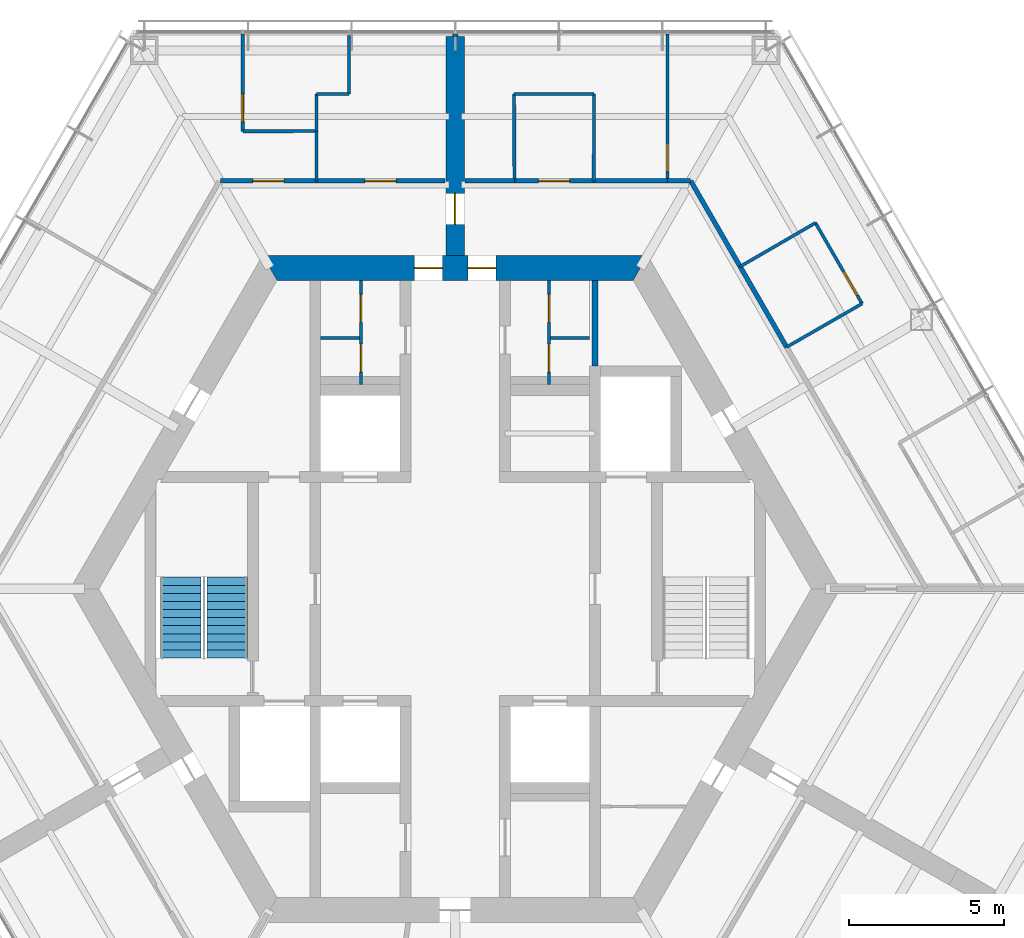
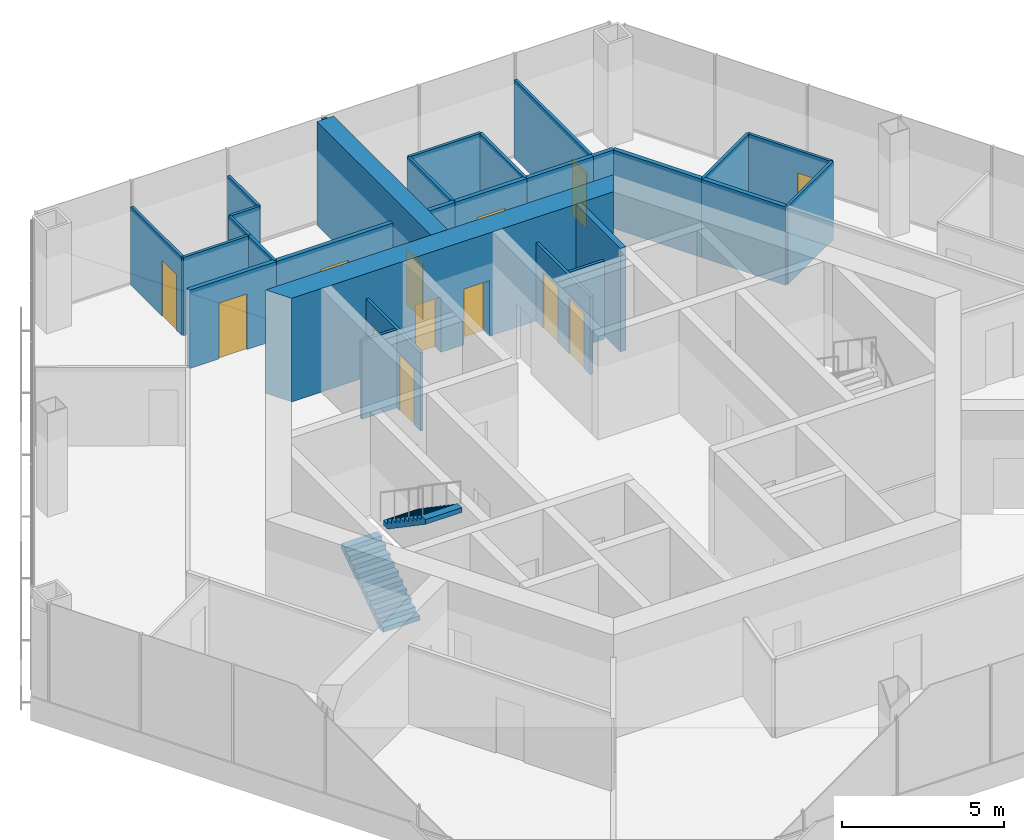
# One storey, part 12 of 15: 29 walls, 13 doors, 2 stair flights, 13 openings, 1 element without a shape of its own.
"""IFC4 building model written with IfcOpenShell, lengths in metres."""

import ifcopenshell
import ifcopenshell.guid

model = None  # the IFC model being written
_history = None  # IfcOwnerHistory: only IFC2X3 demands one
_inside = {}  # id of a spatial element -> (the spatial element, [elements in it])
_under = {}  # id of a project, library or spatial element -> (it, [spatial elements below it])
_declared = {}  # id of a project -> (the project, [libraries it declares])
_typed = {}  # id of a type object -> (the type object, [elements of that type])
_made_of = {}  # id of a material, layer set ... -> (it, [elements and type objects made of it])


def new_model(schema):
    """Start an empty IFC model of exactly this schema.

    Asked for "IFC4X3", IfcOpenShell would pick the latest addendum, in which some entities
    have other attributes; the version numbers below select the first issue.
    IFC2X3 requires an IfcOwnerHistory on every rooted entity: one is made here for all.
    """
    global model, _history
    if schema == "IFC4X3":
        model = ifcopenshell.file(schema_version=(4, 3, 0, 0))
    else:
        model = ifcopenshell.file(schema=schema)
    _inside.clear()
    _under.clear()
    _declared.clear()
    _typed.clear()
    _made_of.clear()
    _history = None
    if model.schema == "IFC2X3":
        org = make("IfcOrganization", Name="unknown")
        user = make(
            "IfcPersonAndOrganization",
            ThePerson=make("IfcPerson", FamilyName="unknown"),
            TheOrganization=org,
        )
        app = make(
            "IfcApplication",
            ApplicationDeveloper=org,
            Version="unknown",
            ApplicationFullName="unknown",
            ApplicationIdentifier="unknown",
        )
        _history = make(
            "IfcOwnerHistory",
            OwningUser=user,
            OwningApplication=app,
            ChangeAction="ADDED",
            CreationDate=0,
        )
    return model


def make(cls, **values):
    """One entity of the class cls with the attributes given. An attribute that is None is left unset."""
    return model.create_entity(
        cls, **{name: value for name, value in values.items() if value is not None}
    )


def rooted(cls, **values):
    """An entity with a GlobalId (a new one), such as an element, a storey or a relation."""
    return make(cls, GlobalId=ifcopenshell.guid.new(), OwnerHistory=_history, **values)


def si_unit(unit_type, name, prefix=None):
    """IfcSIUnit, for example si_unit("LENGTHUNIT", "METRE", prefix="MILLI")."""
    return make("IfcSIUnit", UnitType=unit_type, Prefix=prefix, Name=name)


def assignment(units):
    """IfcUnitAssignment: the units of a project."""
    return None if units is None else make("IfcUnitAssignment", Units=units)


def point(xyz):
    """IfcCartesianPoint."""
    return None if xyz is None else make("IfcCartesianPoint", Coordinates=xyz)


def direction(xyz):
    """IfcDirection."""
    return None if xyz is None else make("IfcDirection", DirectionRatios=xyz)


def frame(location, z_axis=None, x_axis=None):
    """IfcAxis2Placement3D, a coordinate frame: its origin and axes. An axis left out is left unset."""
    return make(
        "IfcAxis2Placement3D",
        Location=point(location),
        Axis=direction(z_axis),
        RefDirection=direction(x_axis),
    )


def frame_2d(location, x_axis=None):
    """IfcAxis2Placement2D, a coordinate frame in the plane: its origin and x axis."""
    return make(
        "IfcAxis2Placement2D", Location=point(location), RefDirection=direction(x_axis)
    )


def origin():
    """The frame at (0, 0, 0) with its axes left unset."""
    return frame((0.0, 0.0, 0.0))


def place(relative_to, where):
    """IfcLocalPlacement: puts the frame where relative to a parent placement (None: the world)."""
    return make(
        "IfcLocalPlacement", PlacementRelTo=relative_to, RelativePlacement=where
    )


def context(
    kind, dimensions, precision=None, world=None, true_north=None, identifier=None
):
    """IfcGeometricRepresentationContext, for example the 3D "Model" context."""
    return make(
        "IfcGeometricRepresentationContext",
        ContextIdentifier=identifier,
        ContextType=kind,
        CoordinateSpaceDimension=dimensions,
        Precision=precision,
        WorldCoordinateSystem=world,
        TrueNorth=true_north,
    )


def subcontext(parent, identifier, kind, view, scale=None):
    """IfcGeometricRepresentationSubContext, for example "Body" below "Model"."""
    return make(
        "IfcGeometricRepresentationSubContext",
        ContextIdentifier=identifier,
        ContextType=kind,
        ParentContext=parent,
        TargetScale=scale,
        TargetView=view,
    )


def project(units=None, contexts=None):
    """IfcProject with its units and contexts."""
    return rooted(
        "IfcProject",
        Name="project",
        RepresentationContexts=contexts,
        UnitsInContext=assignment(units),
    )


def spatial(cls, under=None, at=None, **own):
    """A site, building, storey or space (cls), placed at a placement, below another one or the project."""
    s = rooted(cls, ObjectPlacement=at, **own)
    if under is not None:
        _under.setdefault(under.id(), (under, []))[1].append(s)
    return s


def polyline(points):
    """IfcPolyline through the points."""
    return make("IfcPolyline", Points=[point(p) for p in points])


def profile(cls, at=None, kind="AREA", **sizes):
    """A parametric profile (cls). Its sizes go by their IFC names, for example OverallWidth=200.0."""
    return make(cls, ProfileType=kind, Position=at, **sizes)


def rectangle(**sizes):
    """IfcRectangleProfileDef."""
    return profile("IfcRectangleProfileDef", **sizes)


def outline(outer, holes=None, kind="AREA"):
    """IfcArbitraryClosedProfileDef: a profile drawn as a closed curve; with holes, ...WithVoids."""
    if holes is None:
        return make("IfcArbitraryClosedProfileDef", ProfileType=kind, OuterCurve=outer)
    return make(
        "IfcArbitraryProfileDefWithVoids",
        ProfileType=kind,
        OuterCurve=outer,
        InnerCurves=holes,
    )


def extrude(swept, where, along, depth):
    """IfcExtrudedAreaSolid: the profile swept, set in the frame where, extruded along a direction by depth."""
    return make(
        "IfcExtrudedAreaSolid",
        SweptArea=swept,
        Position=where,
        ExtrudedDirection=direction(along),
        Depth=depth,
    )


def shape(context_of_items, identifier, shape_type, items):
    """IfcShapeRepresentation: the items that make up one representation, for example the "Body"."""
    return make(
        "IfcShapeRepresentation",
        ContextOfItems=context_of_items,
        RepresentationIdentifier=identifier,
        RepresentationType=shape_type,
        Items=items,
    )


def material(Name=None, Category=None):
    """IfcMaterial."""
    return make("IfcMaterial", Name=Name, Category=Category)


def layer(
    of_material, thickness, ventilated=None, Name=None, Category=None, Priority=None
):
    """IfcMaterialLayer: one layer of a wall or slab, of a material (None: an air gap)."""
    return make(
        "IfcMaterialLayer",
        Material=of_material,
        LayerThickness=thickness,
        IsVentilated=ventilated,
        Name=Name,
        Category=Category,
        Priority=Priority,
    )


def layer_set(layers, Name=None):
    """IfcMaterialLayerSet."""
    return make("IfcMaterialLayerSet", MaterialLayers=layers, LayerSetName=Name)


def made_of(thing, what):
    """Note that an element or type object is made of a material, layer set ...; save() writes the relation."""
    if what is not None:
        _made_of.setdefault(what.id(), (what, []))[1].append(thing)
    return thing


def type_object(cls, material=None, **own):
    """A type object (cls), such as IfcWallType, which elements share."""
    return made_of(rooted(cls, **own), material)


def element(
    cls,
    number,
    at=None,
    inside=None,
    cuts=None,
    type_object=None,
    material=None,
    context=None,
    identifier="Body",
    shape_type=None,
    held_by="IfcProductDefinitionShape",
    body=None,
    shapes=None,
    **own,
):
    """One element of the class cls, such as IfcWall. Its Tag is "e" and its number.

    at: its placement. inside: the storey or other place that contains it. cuts: it is an
    opening in that element (IfcRelVoidsElement). A single representation is given by context,
    identifier, shape_type and body (its items); several are given by shapes. held_by: the class
    of the entity that holds the representations. save() writes the other relations.
    """
    e = rooted(cls, Tag="e%d" % number, ObjectPlacement=at, **own)
    if body is not None:
        shapes = [shape(context, identifier, shape_type, body)]
    if shapes is not None:
        e.Representation = make(held_by, Representations=shapes)
    if inside is not None:
        _inside.setdefault(inside.id(), (inside, []))[1].append(e)
    if cuts is not None:
        rooted(
            "IfcRelVoidsElement", RelatingBuildingElement=cuts, RelatedOpeningElement=e
        )
    if type_object is not None:
        _typed.setdefault(type_object.id(), (type_object, []))[1].append(e)
    return made_of(e, material)


def fill(opening, filler):
    """IfcRelFillsElement: the door or window that sits in an opening."""
    return rooted(
        "IfcRelFillsElement",
        RelatingOpeningElement=opening,
        RelatedBuildingElement=filler,
    )


def aggregate(whole, parts):
    """IfcRelAggregates: a whole, such as a stair, and the parts it consists of."""
    return rooted("IfcRelAggregates", RelatingObject=whole, RelatedObjects=parts)


def save(model, path):
    """Write the relations noted so far, then the file.

    IfcRelAggregates (storeys below a building ...), IfcRelContainedInSpatialStructure (elements
    in a storey), IfcRelDefinesByType, IfcRelAssociatesMaterial and IfcRelDeclares: one each for
    every whole, place, type object, material and project.
    """
    for whole, parts in _under.values():
        aggregate(whole, parts)
    for where, things in _inside.values():
        rooted(
            "IfcRelContainedInSpatialStructure",
            RelatedElements=things,
            RelatingStructure=where,
        )
    for kind, things in _typed.values():
        rooted("IfcRelDefinesByType", RelatedObjects=things, RelatingType=kind)
    for what, things in _made_of.values():
        rooted("IfcRelAssociatesMaterial", RelatedObjects=things, RelatingMaterial=what)
    for by, libraries in _declared.values():
        rooted("IfcRelDeclares", RelatingContext=by, RelatedDefinitions=libraries)
    model.write(path)


model = new_model("IFC4")

# Units and contexts
model_context = context("Model", 3, precision=1e-05, world=origin(), true_north=direction((0.0, 1.0)))
body_context = subcontext(model_context, "Body", "Model", "MODEL_VIEW")
ifc_project = project(units=[si_unit("LENGTHUNIT", "METRE"), si_unit("AREAUNIT", "SQUARE_METRE"), si_unit("VOLUMEUNIT", "CUBIC_METRE"), si_unit("PLANEANGLEUNIT", "RADIAN"), si_unit("MASSUNIT", "GRAM", prefix="KILO")], contexts=[model_context])

# Site, building, storey
site_placement = place(None, origin())
site = spatial("IfcSite", under=ifc_project, at=site_placement, CompositionType="ELEMENT")
building_placement = place(site_placement, origin())
building = spatial("IfcBuilding", under=site, at=building_placement, Name="Kasaneha Research Tower", CompositionType="ELEMENT")
storey_placement = place(building_placement, frame((0.0, 0.0, 212.800048828125)))
storey = spatial("IfcBuildingStorey", under=building, at=storey_placement, Name="L53", CompositionType="ELEMENT", Elevation=212.800048828125)

# Wall, openings, doors
ifc_material_1 = material(Name="Concrete Fc60", Category="concrete")
ifc_layer_1 = layer(ifc_material_1, 0.800048828125)
ifc_layer_set_1 = layer_set([ifc_layer_1], Name="Core wall 800 Fc60")
wall_type_1 = type_object("IfcWallType", Name="Core wall 800 Fc60", PredefinedType="SHEAR", material=ifc_layer_set_1)
wall_1_placement = place(storey_placement, frame((5.961181640625, 10.324951171875, 0.0), z_axis=(0.0, 0.0, 1.0), x_axis=(-1.0, 0.0, 0.0)))
wall_1 = element("IfcWall", 1, at=wall_1_placement, inside=storey, type_object=wall_type_1, Name="Core wall 090 L53", PredefinedType="SHEAR", context=body_context, shape_type="SweptSolid", body=[
    extrude(outline(polyline([(-0.23095703125, -0.39990234375), (4.648681640625, -0.39990234375), (5.548583984375, -0.39990234375), (6.37353515625, -0.39990234375), (7.2734375, -0.39990234375), (12.1533203125, -0.39990234375), (11.69140625, 0.39990234375), (7.2734375, 0.39990234375), (6.37353515625, 0.39990234375), (5.548583984375, 0.39990234375), (4.648681640625, 0.39990234375), (0.23095703125, 0.39990234375), (-0.23095703125, -0.39990234375)])), origin(), (0.0, 0.0, 1.0), 3.89990234375),
])
opening_1_placement = place(wall_1_placement, frame((6.37353515625, 0.0, 0.0)))
opening_1 = element("IfcOpeningElement", 2, at=opening_1_placement, cuts=wall_1, Name="Opening L53-D01", PredefinedType="OPENING", context=body_context, shape_type="SweptSolid", body=[
    extrude(rectangle(XDim=0.89990234375, YDim=2.10009765625, at=frame_2d((0.449951171875, 1.050048828125))), frame((0.0, 0.41015625, 0.0), z_axis=(0.0, -1.0, 0.0), x_axis=(1.0, 0.0, 0.0)), (0.0, 0.0, 1.0), 0.820068359375),
])
opening_2_placement = place(wall_1_placement, frame((4.648681640625, 0.0, 0.0)))
opening_2 = element("IfcOpeningElement", 3, at=opening_2_placement, cuts=wall_1, Name="Opening L53-D02", PredefinedType="OPENING", context=body_context, shape_type="SweptSolid", body=[
    extrude(rectangle(XDim=0.89990234375, YDim=2.10009765625, at=frame_2d((0.449951171875, 1.050048828125))), frame((0.0, 0.41015625, 0.0), z_axis=(0.0, -1.0, 0.0), x_axis=(1.0, 0.0, 0.0)), (0.0, 0.0, 1.0), 0.820068359375),
])
ifc_material_2 = material(Name="Steel", Category="steel")
door_type_1 = type_object("IfcDoorType", Name="Toilet door FD20 900x2100", OperationType="NOTDEFINED", PredefinedType="DOOR", material=ifc_material_2)
door_1_placement = place(opening_1_placement, origin())
door_1 = element("IfcDoor", 4, at=door_1_placement, inside=storey, type_object=door_type_1, Name="Core door north 1 L53-D01", OperationType="SINGLE_SWING_RIGHT", OverallHeight=2.10009765625, OverallWidth=0.89990234375, PredefinedType="DOOR", context=body_context, shape_type="SweptSolid", body=[
    extrude(rectangle(XDim=0.89990234375, YDim=2.10009765625, at=frame_2d((0.449951171875, 1.050048828125))), frame((0.0, 0.02490234375, 0.0), z_axis=(0.0, -1.0, 0.0), x_axis=(1.0, 0.0, 0.0)), (0.0, 0.0, 1.0), 0.050048828125),
])
fill(opening_1, door_1)
door_2_placement = place(opening_2_placement, origin())
door_2 = element("IfcDoor", 5, at=door_2_placement, inside=storey, type_object=door_type_1, Name="Core door north 2 L53-D02", OperationType="SINGLE_SWING_LEFT", OverallHeight=2.10009765625, OverallWidth=0.89990234375, PredefinedType="DOOR", context=body_context, shape_type="SweptSolid", body=[
    extrude(rectangle(XDim=0.89990234375, YDim=2.10009765625, at=frame_2d((0.449951171875, 1.050048828125))), frame((0.0, 0.02490234375, 0.0), z_axis=(0.0, -1.0, 0.0), x_axis=(1.0, 0.0, 0.0)), (0.0, 0.0, 1.0), 0.050048828125),
])
fill(opening_2, door_2)

ifc_material_3 = material(Name="Gypsum board on steel studs, one layer each side", Category="steel")
ifc_layer_2 = layer(ifc_material_3, 0.10009765625)
ifc_layer_set_2 = layer_set([ifc_layer_2], Name="Office partition 100")
wall_type_2 = type_object("IfcWallType", Name="Office partition 100", PredefinedType="PARTITIONING", material=ifc_layer_set_2)
wall_2_placement = place(storey_placement, frame((-3.02490234375, 6.574951171875, 0.0), z_axis=(0.0, 0.0, 1.0), x_axis=(0.0, 1.0, 0.0)))
wall_2 = element("IfcWall", 6, at=wall_2_placement, inside=storey, type_object=wall_type_2, Name="Office partition TBM1 L53", PredefinedType="PARTITIONING", context=body_context, shape_type="SweptSolid", body=[
    extrude(rectangle(XDim=3.35009765625, YDim=0.10009765625, at=frame_2d((1.675048828125, 0.0))), origin(), (0.0, 0.0, 1.0), 2.949951171875),
])
opening_3_placement = place(wall_2_placement, frame((2.0, 0.0, 0.0)))
opening_3 = element("IfcOpeningElement", 7, at=opening_3_placement, cuts=wall_2, Name="Opening L53-D20", PredefinedType="OPENING", context=body_context, shape_type="SweptSolid", body=[
    extrude(rectangle(XDim=0.89990234375, YDim=2.10009765625, at=frame_2d((0.449951171875, 1.050048828125))), frame((0.0, 0.06005859375, 0.0), z_axis=(0.0, -1.0, 0.0), x_axis=(1.0, 0.0, 0.0)), (0.0, 0.0, 1.0), 0.1201171875),
])
opening_4_placement = place(wall_2_placement, frame((0.39990234375, 0.0, 0.0)))
opening_4 = element("IfcOpeningElement", 8, at=opening_4_placement, cuts=wall_2, Name="Opening L53-D21", PredefinedType="OPENING", context=body_context, shape_type="SweptSolid", body=[
    extrude(rectangle(XDim=0.89990234375, YDim=2.10009765625, at=frame_2d((0.449951171875, 1.050048828125))), frame((0.0, 0.06005859375, 0.0), z_axis=(0.0, -1.0, 0.0), x_axis=(1.0, 0.0, 0.0)), (0.0, 0.0, 1.0), 0.1201171875),
])
ifc_material_4 = material(Name="Steel", Category="steel")
door_type_2 = type_object("IfcDoorType", Name="Toilet lobby door FD30 900x2100", OperationType="NOTDEFINED", PredefinedType="DOOR", material=ifc_material_4)
door_3_placement = place(opening_3_placement, origin())
door_3 = element("IfcDoor", 9, at=door_3_placement, inside=storey, type_object=door_type_2, Name="Men's WC door L53-D20", OperationType="SINGLE_SWING_RIGHT", OverallHeight=2.10009765625, OverallWidth=0.89990234375, PredefinedType="DOOR", context=body_context, shape_type="SweptSolid", body=[
    extrude(rectangle(XDim=0.89990234375, YDim=2.10009765625, at=frame_2d((0.449951171875, 1.050048828125))), frame((0.0, 0.02490234375, 0.0), z_axis=(0.0, -1.0, 0.0), x_axis=(1.0, 0.0, 0.0)), (0.0, 0.0, 1.0), 0.050048828125),
])
fill(opening_3, door_3)
door_4_placement = place(opening_4_placement, origin())
door_4 = element("IfcDoor", 10, at=door_4_placement, inside=storey, type_object=door_type_2, Name="Cleaner's store door L53-D21", OperationType="SINGLE_SWING_RIGHT", OverallHeight=2.10009765625, OverallWidth=0.89990234375, PredefinedType="DOOR", context=body_context, shape_type="SweptSolid", body=[
    extrude(rectangle(XDim=0.89990234375, YDim=2.10009765625, at=frame_2d((0.449951171875, 1.050048828125))), frame((0.0, 0.02490234375, 0.0), z_axis=(0.0, -1.0, 0.0), x_axis=(1.0, 0.0, 0.0)), (0.0, 0.0, 1.0), 0.050048828125),
])
fill(opening_4, door_4)

# Wall
wall_3_placement = place(storey_placement, frame((-3.074951171875, 8.074951171875, 0.0), z_axis=(0.0, 0.0, 1.0), x_axis=(-1.0, 0.0, 0.0)))
element("IfcWall", 11, at=wall_3_placement, inside=storey, type_object=wall_type_2, Name="Office partition TBM2 L53", PredefinedType="PARTITIONING", context=body_context, shape_type="SweptSolid", body=[
    extrude(rectangle(XDim=1.25, YDim=0.10009765625, at=frame_2d((0.625, 0.0))), origin(), (0.0, 0.0, 1.0), 2.949951171875),
])

# Wall, openings, doors
wall_4_placement = place(storey_placement, frame((3.02490234375, 6.574951171875, 0.0), z_axis=(0.0, 0.0, 1.0), x_axis=(0.0, 1.0, 0.0)))
wall_4 = element("IfcWall", 12, at=wall_4_placement, inside=storey, type_object=wall_type_2, Name="Office partition TBF1 L53", PredefinedType="PARTITIONING", context=body_context, shape_type="SweptSolid", body=[
    extrude(rectangle(XDim=3.35009765625, YDim=0.10009765625, at=frame_2d((1.675048828125, 0.0))), origin(), (0.0, 0.0, 1.0), 2.949951171875),
])
opening_5_placement = place(wall_4_placement, frame((2.0, 0.0, 0.0)))
opening_5 = element("IfcOpeningElement", 13, at=opening_5_placement, cuts=wall_4, Name="Opening L53-D22", PredefinedType="OPENING", context=body_context, shape_type="SweptSolid", body=[
    extrude(rectangle(XDim=0.89990234375, YDim=2.10009765625, at=frame_2d((0.449951171875, 1.050048828125))), frame((0.0, 0.06005859375, 0.0), z_axis=(0.0, -1.0, 0.0), x_axis=(1.0, 0.0, 0.0)), (0.0, 0.0, 1.0), 0.1201171875),
])
opening_6_placement = place(wall_4_placement, frame((0.39990234375, 0.0, 0.0)))
opening_6 = element("IfcOpeningElement", 14, at=opening_6_placement, cuts=wall_4, Name="Opening L53-D23", PredefinedType="OPENING", context=body_context, shape_type="SweptSolid", body=[
    extrude(rectangle(XDim=0.89990234375, YDim=2.10009765625, at=frame_2d((0.449951171875, 1.050048828125))), frame((0.0, 0.06005859375, 0.0), z_axis=(0.0, -1.0, 0.0), x_axis=(1.0, 0.0, 0.0)), (0.0, 0.0, 1.0), 0.1201171875),
])
door_5_placement = place(opening_5_placement, origin())
door_5 = element("IfcDoor", 15, at=door_5_placement, inside=storey, type_object=door_type_2, Name="Women's WC door L53-D22", OperationType="SINGLE_SWING_RIGHT", OverallHeight=2.10009765625, OverallWidth=0.89990234375, PredefinedType="DOOR", context=body_context, shape_type="SweptSolid", body=[
    extrude(rectangle(XDim=0.89990234375, YDim=2.10009765625, at=frame_2d((0.449951171875, 1.050048828125))), frame((0.0, 0.02490234375, 0.0), z_axis=(0.0, -1.0, 0.0), x_axis=(1.0, 0.0, 0.0)), (0.0, 0.0, 1.0), 0.050048828125),
])
fill(opening_5, door_5)
door_6_placement = place(opening_6_placement, origin())
door_6 = element("IfcDoor", 16, at=door_6_placement, inside=storey, type_object=door_type_2, Name="Parents' room door L53-D23", OperationType="SINGLE_SWING_RIGHT", OverallHeight=2.10009765625, OverallWidth=0.89990234375, PredefinedType="DOOR", context=body_context, shape_type="SweptSolid", body=[
    extrude(rectangle(XDim=0.89990234375, YDim=2.10009765625, at=frame_2d((0.449951171875, 1.050048828125))), frame((0.0, 0.02490234375, 0.0), z_axis=(0.0, -1.0, 0.0), x_axis=(1.0, 0.0, 0.0)), (0.0, 0.0, 1.0), 0.050048828125),
])
fill(opening_6, door_6)

# Walls
wall_5_placement = place(storey_placement, frame((3.074951171875, 8.074951171875, 0.0), z_axis=(0.0, 0.0, 1.0), x_axis=(1.0, 0.0, 0.0)))
element("IfcWall", 17, at=wall_5_placement, inside=storey, type_object=wall_type_2, Name="Office partition TBF2 L53", PredefinedType="PARTITIONING", context=body_context, shape_type="SweptSolid", body=[
    extrude(rectangle(XDim=1.25, YDim=0.10009765625, at=frame_2d((0.625, 0.0))), origin(), (0.0, 0.0, 1.0), 2.949951171875),
])
wall_6_placement = place(storey_placement, frame((1.89990234375, 15.925048828125, 0.0), z_axis=(0.0, 0.0, 1.0), x_axis=(1.0, 0.0, 0.0)))
element("IfcWall", 18, at=wall_6_placement, inside=storey, type_object=wall_type_2, Name="Office partition FAE08 L53", PredefinedType="PARTITIONING", context=body_context, shape_type="SweptSolid", body=[
    extrude(rectangle(XDim=2.565185546875, YDim=0.10009765625, at=frame_2d((1.28271484375, 0.0))), origin(), (0.0, 0.0, 1.0), 2.949951171875),
])
for number, where, z_axis, x_axis, name in (
    (19, (1.905029296875, 13.125, 0.0), (0.0, 0.0, 1.0), (-0.001831019688, 0.999998323682, 0.0), "Office partition FAE09 L53"),
    (20, (4.465087890625, 15.925048828125, 0.0), (0.0, 0.0, 1.0), (-0.001831019688, -0.999998323682, 0.0), "Office partition FAE10 L53"),
    (21, (9.168701171875, 10.369140625, 0.0), (0.0, 0.0, 1.0), (0.865255114713, 0.501331812737, 0.0), "Office partition FAE11 L53"),
):
    element("IfcWall", number, at=place(storey_placement, frame(where, z_axis=z_axis, x_axis=x_axis)), inside=storey, type_object=wall_type_2, Name=name, PredefinedType="PARTITIONING", context=body_context, shape_type="SweptSolid", body=[
        extrude(rectangle(XDim=2.800048828125, YDim=0.10009765625, at=frame_2d((1.39990234375, 0.0))), origin(), (0.0, 0.0, 1.0), 2.949951171875),
    ])

# Wall, opening, door
wall_7_placement = place(storey_placement, frame((11.591552734375, 11.77294921875, 0.0), z_axis=(0.0, 0.0, 1.0), x_axis=(0.499990139034, -0.866031096941, 0.0)))
wall_7 = element("IfcWall", 22, at=wall_7_placement, inside=storey, type_object=wall_type_2, Name="Office partition FAE12 L53", PredefinedType="PARTITIONING", context=body_context, shape_type="SweptSolid", body=[
    extrude(rectangle(XDim=3.0, YDim=0.10009765625, at=frame_2d((1.5, 0.0))), origin(), (0.0, 0.0, 1.0), 2.949951171875),
])
opening_7_placement = place(wall_7_placement, frame((1.800048828125, 0.0, 0.0)))
opening_7 = element("IfcOpeningElement", 23, at=opening_7_placement, cuts=wall_7, Name="Opening L53-D29", PredefinedType="OPENING", context=body_context, shape_type="SweptSolid", body=[
    extrude(rectangle(XDim=0.89990234375, YDim=2.10009765625, at=frame_2d((0.449951171875, 1.050048828125))), frame((0.0, 0.06005859375, 0.0), z_axis=(0.0, -1.0, 0.0), x_axis=(1.0, 0.0, 0.0)), (0.0, 0.0, 1.0), 0.1201171875),
])
ifc_material_5 = material(Name="Timber veneer", Category="wood")
door_type_3 = type_object("IfcDoorType", Name="Office door 900x2100", OperationType="SINGLE_SWING_LEFT", PredefinedType="DOOR", material=ifc_material_5)
door_7_placement = place(opening_7_placement, origin())
door_7 = element("IfcDoor", 24, at=door_7_placement, inside=storey, type_object=door_type_3, Name="Pantry door L53-D29", OperationType="SINGLE_SWING_RIGHT", OverallHeight=2.10009765625, OverallWidth=0.89990234375, PredefinedType="DOOR", context=body_context, shape_type="SweptSolid", body=[
    extrude(rectangle(XDim=0.89990234375, YDim=2.10009765625, at=frame_2d((0.449951171875, 1.050048828125))), frame((0.0, 0.02490234375, 0.0), z_axis=(0.0, -1.0, 0.0), x_axis=(1.0, 0.0, 0.0)), (0.0, 0.0, 1.0), 0.050048828125),
])
fill(opening_7, door_7)

# Wall
wall_8_placement = place(storey_placement, frame((13.091552734375, 9.1748046875, 0.0), z_axis=(0.0, 0.0, 1.0), x_axis=(-0.866855433567, -0.498559582492, 0.0)))
element("IfcWall", 25, at=wall_8_placement, inside=storey, type_object=wall_type_2, Name="Office partition FAE13 L53", PredefinedType="PARTITIONING", context=body_context, shape_type="SweptSolid", body=[
    extrude(rectangle(XDim=2.800048828125, YDim=0.10009765625, at=frame_2d((1.39990234375, 0.0))), origin(), (0.0, 0.0, 1.0), 2.949951171875),
])

# Wall, opening, door
wall_9_placement = place(storey_placement, frame((6.8310546875, 17.85546875, 0.0), z_axis=(0.0, 0.0, 1.0), x_axis=(-0.000980594079, -0.999999519218, 0.0)))
wall_9 = element("IfcWall", 26, at=wall_9_placement, inside=storey, type_object=wall_type_2, Name="Office partition FAE14 L53", PredefinedType="PARTITIONING", context=body_context, shape_type="SweptSolid", body=[
    extrude(rectangle(XDim=4.73046875, YDim=0.10009765625, at=frame_2d((2.365234375, 0.0))), origin(), (0.0, 0.0, 1.0), 2.949951171875),
])
opening_8_placement = place(wall_9_placement, frame((3.530517578125, 0.0, 0.0)))
opening_8 = element("IfcOpeningElement", 27, at=opening_8_placement, cuts=wall_9, Name="Opening L53-D30", PredefinedType="OPENING", context=body_context, shape_type="SweptSolid", body=[
    extrude(rectangle(XDim=0.89990234375, YDim=2.10009765625, at=frame_2d((0.449951171875, 1.050048828125))), frame((0.0, 0.06005859375, 0.0), z_axis=(0.0, -1.0, 0.0), x_axis=(1.0, 0.0, 0.0)), (0.0, 0.0, 1.0), 0.1201171875),
])
door_8_placement = place(opening_8_placement, origin())
door_8 = element("IfcDoor", 28, at=door_8_placement, inside=storey, type_object=door_type_3, Name="Project room door L53-D30", OperationType="SINGLE_SWING_RIGHT", OverallHeight=2.10009765625, OverallWidth=0.89990234375, PredefinedType="DOOR", context=body_context, shape_type="SweptSolid", body=[
    extrude(rectangle(XDim=0.89990234375, YDim=2.10009765625, at=frame_2d((0.449951171875, 1.050048828125))), frame((0.0, 0.02490234375, 0.0), z_axis=(0.0, -1.0, 0.0), x_axis=(1.0, 0.0, 0.0)), (0.0, 0.0, 1.0), 0.050048828125),
])
fill(opening_8, door_8)

# Walls
wall_10_placement = place(storey_placement, frame((-4.465087890625, 14.715576171875, 0.0), z_axis=(0.0, 0.0, 1.0), x_axis=(0.0, 1.0, 0.0)))
element("IfcWall", 29, at=wall_10_placement, inside=storey, type_object=wall_type_2, Name="Office partition FAW03 L53", PredefinedType="PARTITIONING", context=body_context, shape_type="SweptSolid", body=[
    extrude(rectangle(XDim=1.20947265625, YDim=0.10009765625, at=frame_2d((0.604736328125, 0.0))), origin(), (0.0, 0.0, 1.0), 2.949951171875),
])
wall_11_placement = place(storey_placement, frame((-4.465087890625, 15.925048828125, 0.0), z_axis=(0.0, 0.0, 1.0), x_axis=(1.0, 0.0, 0.0)))
element("IfcWall", 30, at=wall_11_placement, inside=storey, type_object=wall_type_2, Name="Office partition FAW04 L53", PredefinedType="PARTITIONING", context=body_context, shape_type="SweptSolid", body=[
    extrude(rectangle(XDim=1.050048828125, YDim=0.10009765625, at=frame_2d((0.52490234375, 0.0))), origin(), (0.0, 0.0, 1.0), 2.949951171875),
])
wall_12_placement = place(storey_placement, frame((-3.4150390625, 15.925048828125, 0.0), z_axis=(0.0, 0.0, 1.0), x_axis=(-0.000130174433, 0.999999991527, 0.0)))
element("IfcWall", 31, at=wall_12_placement, inside=storey, type_object=wall_type_2, Name="Office partition FAW05 L53", PredefinedType="PARTITIONING", context=body_context, shape_type="SweptSolid", body=[
    extrude(rectangle(XDim=1.87548828125, YDim=0.10009765625, at=frame_2d((0.937744140625, 0.0))), origin(), (0.0, 0.0, 1.0), 2.949951171875),
])
wall_13_placement = place(storey_placement, frame((-4.46044921875, 13.125, 0.0), z_axis=(0.0, 0.0, 1.0), x_axis=(-0.0028989808, 0.999995797946, 0.0)))
element("IfcWall", 32, at=wall_13_placement, inside=storey, type_object=wall_type_2, Name="Office partition FAW06 L53", PredefinedType="PARTITIONING", context=body_context, shape_type="SweptSolid", body=[
    extrude(rectangle(XDim=1.60009765625, YDim=0.10009765625, at=frame_2d((0.800048828125, 0.0))), origin(), (0.0, 0.0, 1.0), 2.949951171875),
])

# Wall, opening, door
wall_14_placement = place(storey_placement, frame((-6.830810546875, 14.720458984375, 0.0), z_axis=(0.0, 0.0, 1.0), x_axis=(0.0, 1.0, 0.0)))
wall_14 = element("IfcWall", 33, at=wall_14_placement, inside=storey, type_object=wall_type_2, Name="Office partition FAW07 L53", PredefinedType="PARTITIONING", context=body_context, shape_type="SweptSolid", body=[
    extrude(rectangle(XDim=3.135009765625, YDim=0.10009765625, at=frame_2d((1.5673828125, 0.0))), origin(), (0.0, 0.0, 1.0), 2.949951171875),
])
opening_9_placement = place(wall_14_placement, frame((0.300048828125, 0.0, 0.0)))
opening_9 = element("IfcOpeningElement", 34, at=opening_9_placement, cuts=wall_14, Name="Opening L53-D35", PredefinedType="OPENING", context=body_context, shape_type="SweptSolid", body=[
    extrude(rectangle(XDim=0.89990234375, YDim=2.10009765625, at=frame_2d((0.449951171875, 1.050048828125))), frame((0.0, 0.06005859375, 0.0), z_axis=(0.0, -1.0, 0.0), x_axis=(1.0, 0.0, 0.0)), (0.0, 0.0, 1.0), 0.1201171875),
])
door_9_placement = place(opening_9_placement, origin())
door_9 = element("IfcDoor", 35, at=door_9_placement, inside=storey, type_object=door_type_3, Name="Project room door L53-D35", OperationType="SINGLE_SWING_LEFT", OverallHeight=2.10009765625, OverallWidth=0.89990234375, PredefinedType="DOOR", context=body_context, shape_type="SweptSolid", body=[
    extrude(rectangle(XDim=0.89990234375, YDim=2.10009765625, at=frame_2d((0.449951171875, 1.050048828125))), frame((0.0, 0.02490234375, 0.0), z_axis=(0.0, -1.0, 0.0), x_axis=(1.0, 0.0, 0.0)), (0.0, 0.0, 1.0), 0.050048828125),
])
fill(opening_9, door_9)

# Walls
wall_15_placement = place(storey_placement, frame((-4.465087890625, 14.72509765625, 0.0), z_axis=(0.0, 0.0, 1.0), x_axis=(-0.999998077668, -0.001960780544, 0.0)))
element("IfcWall", 36, at=wall_15_placement, inside=storey, type_object=wall_type_2, Name="Office partition FAW08 L53", PredefinedType="PARTITIONING", context=body_context, shape_type="SweptSolid", body=[
    extrude(rectangle(XDim=2.36572265625, YDim=0.10009765625, at=frame_2d((1.182861328125, 0.0))), origin(), (0.0, 0.0, 1.0), 2.949951171875),
])
ifc_material_6 = material(Name="Concrete block", Category="concrete")
ifc_layer_3 = layer(ifc_material_6, 0.199951171875)
ifc_layer_set_3 = layer_set([ifc_layer_3], Name="Riser enclosure wall 200")
wall_type_3 = type_object("IfcWallType", Name="Riser enclosure wall 200", PredefinedType="STANDARD", material=ifc_layer_set_3)
wall_16_placement = place(storey_placement, frame((4.5, 7.175048828125, 0.0), z_axis=(0.0, 0.0, 1.0), x_axis=(0.0, 1.0, 0.0)))
element("IfcWall", 37, at=wall_16_placement, inside=storey, type_object=wall_type_3, Name="Riser enclosure wall L53", PredefinedType="STANDARD", context=body_context, shape_type="SweptSolid", body=[
    extrude(rectangle(XDim=2.75, YDim=0.199951171875, at=frame_2d((1.375, 0.0))), origin(), (0.0, 0.0, 1.0), 3.89990234375),
])

# Wall, opening, door
ifc_material_7 = material(Name="Concrete Fc60", Category="concrete")
ifc_layer_4 = layer(ifc_material_7, 0.60009765625)
ifc_layer_set_4 = layer_set([ifc_layer_4], Name="Spine wall 600 Fc60")
wall_type_4 = type_object("IfcWallType", Name="Spine wall 600 Fc60", PredefinedType="SHEAR", material=ifc_layer_set_4)
wall_17_placement = place(storey_placement, frame((0.0, 10.72509765625, 0.0), z_axis=(0.0, 0.0, 1.0), x_axis=(0.0, 1.0, 0.0)))
wall_17 = element("IfcWall", 38, at=wall_17_placement, inside=storey, type_object=wall_type_4, Name="Spine wall A L53", PredefinedType="SHEAR", context=body_context, shape_type="SweptSolid", body=[
    extrude(rectangle(XDim=7.04541015625, YDim=0.60009765625, at=frame_2d((3.522705078125, 0.0))), origin(), (0.0, 0.0, 1.0), 3.89990234375),
])
opening_10_placement = place(wall_17_placement, frame((1.0, 0.0, 0.0)))
opening_10 = element("IfcOpeningElement", 39, at=opening_10_placement, cuts=wall_17, Name="Opening L53-D17", PredefinedType="OPENING", context=body_context, shape_type="SweptSolid", body=[
    extrude(rectangle(XDim=1.0, YDim=2.10009765625, at=frame_2d((0.5, 1.050048828125))), frame((0.0, 0.31005859375, 0.0), z_axis=(0.0, -1.0, 0.0), x_axis=(1.0, 0.0, 0.0)), (0.0, 0.0, 1.0), 0.6201171875),
])
ifc_material_8 = material(Name="Steel", Category="steel")
door_type_4 = type_object("IfcDoorType", Name="Specified fire door FD60 1000x2100", OperationType="NOTDEFINED", PredefinedType="DOOR", material=ifc_material_8)
door_10_placement = place(opening_10_placement, origin())
door_10 = element("IfcDoor", 40, at=door_10_placement, inside=storey, type_object=door_type_4, Name="Spine doorway A L53-D17", OperationType="SINGLE_SWING_LEFT", OverallHeight=2.10009765625, OverallWidth=1.0, PredefinedType="DOOR", context=body_context, shape_type="SweptSolid", body=[
    extrude(rectangle(XDim=1.0, YDim=2.10009765625, at=frame_2d((0.5, 1.050048828125))), frame((0.0, 0.02490234375, 0.0), z_axis=(0.0, -1.0, 0.0), x_axis=(1.0, 0.0, 0.0)), (0.0, 0.0, 1.0), 0.050048828125),
])
fill(opening_10, door_10)

ifc_material_9 = material(Name="Gypsum board on steel studs, two layers each side", Category="steel")
ifc_layer_5 = layer(ifc_material_9, 0.14990234375)
ifc_layer_set_5 = layer_set([ifc_layer_5], Name="Suite partition 150")
wall_type_5 = type_object("IfcWallType", Name="Suite partition 150", PredefinedType="PARTITIONING", material=ifc_layer_set_5)
wall_18_placement = place(storey_placement, frame((1.89501953125, 13.125, 0.0), z_axis=(0.0, 0.0, 1.0), x_axis=(1.0, 0.0, 0.0)))
wall_18 = element("IfcWall", 41, at=wall_18_placement, inside=storey, type_object=wall_type_5, Name="Suite partition FAE01 L53", PredefinedType="PARTITIONING", context=body_context, shape_type="SweptSolid", body=[
    extrude(rectangle(XDim=2.574951171875, YDim=0.14990234375, at=frame_2d((1.28759765625, 0.0))), origin(), (0.0, 0.0, 1.0), 2.949951171875),
])
opening_11_placement = place(wall_18_placement, frame((0.78759765625, 0.0, 0.0)))
opening_11 = element("IfcOpeningElement", 42, at=opening_11_placement, cuts=wall_18, Name="Opening L53-D27", PredefinedType="OPENING", context=body_context, shape_type="SweptSolid", body=[
    extrude(rectangle(XDim=1.0, YDim=2.10009765625, at=frame_2d((0.5, 1.050048828125))), frame((0.0, 0.0849609375, 0.0), z_axis=(0.0, -1.0, 0.0), x_axis=(1.0, 0.0, 0.0)), (0.0, 0.0, 1.0), 0.169921875),
])
ifc_material_10 = material(Name="Steel", Category="steel")
door_type_5 = type_object("IfcDoorType", Name="Suite entrance door FD60 1000x2100", OperationType="NOTDEFINED", PredefinedType="DOOR", material=ifc_material_10)
door_11_placement = place(opening_11_placement, origin())
door_11 = element("IfcDoor", 43, at=door_11_placement, inside=storey, type_object=door_type_5, Name="Suite entrance door L53-D27", OperationType="SINGLE_SWING_RIGHT", OverallHeight=2.10009765625, OverallWidth=1.0, PredefinedType="DOOR", context=body_context, shape_type="SweptSolid", body=[
    extrude(rectangle(XDim=1.0, YDim=2.10009765625, at=frame_2d((0.5, 1.050048828125))), frame((0.0, 0.02490234375, 0.0), z_axis=(0.0, -1.0, 0.0), x_axis=(1.0, 0.0, 0.0)), (0.0, 0.0, 1.0), 0.050048828125),
])
fill(opening_11, door_11)

# Walls
wall_19_placement = place(storey_placement, frame((9.1640625, 10.377197265625, 0.0), z_axis=(0.0, 0.0, 1.0), x_axis=(0.500038395149, -0.8660032352, 0.0)))
element("IfcWall", 44, at=wall_19_placement, inside=storey, type_object=wall_type_5, Name="Suite partition FAE02 L53", PredefinedType="PARTITIONING", context=body_context, shape_type="SweptSolid", body=[
    extrude(rectangle(XDim=3.010009765625, YDim=0.14990234375, at=frame_2d((1.5048828125, 0.0))), origin(), (0.0, 0.0, 1.0), 2.949951171875),
])
wall_20_placement = place(storey_placement, frame((0.320068359375, 13.125, 0.0), z_axis=(0.0, 0.0, 1.0), x_axis=(1.0, 0.0, 0.0)))
element("IfcWall", 45, at=wall_20_placement, inside=storey, type_object=wall_type_5, Name="Suite partition FAE03 L53", PredefinedType="PARTITIONING", context=body_context, shape_type="SweptSolid", body=[
    extrude(rectangle(XDim=1.5849609375, YDim=0.14990234375, at=frame_2d((0.79248046875, 0.0))), origin(), (0.0, 0.0, 1.0), 2.949951171875),
])
wall_21_placement = place(storey_placement, frame((4.4599609375, 13.125, 0.0), z_axis=(0.0, 0.0, 1.0), x_axis=(1.0, 0.0, 0.0)))
element("IfcWall", 46, at=wall_21_placement, inside=storey, type_object=wall_type_5, Name="Suite partition FAE04 L53", PredefinedType="PARTITIONING", context=body_context, shape_type="SweptSolid", body=[
    extrude(rectangle(XDim=2.3759765625, YDim=0.14990234375, at=frame_2d((1.18798828125, 0.0))), origin(), (0.0, 0.0, 1.0), 2.949951171875),
])
wall_22_placement = place(storey_placement, frame((6.826416015625, 13.125, 0.0), z_axis=(0.0, 0.0, 1.0), x_axis=(1.0, 0.0, 0.0)))
element("IfcWall", 47, at=wall_22_placement, inside=storey, type_object=wall_type_5, Name="Suite partition FAE05 L53", PredefinedType="PARTITIONING", context=body_context, shape_type="SweptSolid", body=[
    extrude(rectangle(XDim=0.751220703125, YDim=0.14990234375, at=frame_2d((0.37548828125, 0.0))), origin(), (0.0, 0.0, 1.0), 2.949951171875),
])
wall_23_placement = place(storey_placement, frame((7.57763671875, 13.125, 0.0), z_axis=(0.0, 0.0, 1.0), x_axis=(0.499992528944, -0.866029717158, 0.0)))
element("IfcWall", 48, at=wall_23_placement, inside=storey, type_object=wall_type_5, Name="Suite partition FAE06 L53", PredefinedType="PARTITIONING", context=body_context, shape_type="SweptSolid", body=[
    extrude(rectangle(XDim=3.18212890625, YDim=0.14990234375, at=frame_2d((1.591064453125, 0.0))), origin(), (0.0, 0.0, 1.0), 2.949951171875),
])

# Wall, opening, door
wall_24_placement = place(storey_placement, frame((-4.469970703125, 13.125, 0.0), z_axis=(0.0, 0.0, 1.0), x_axis=(1.0, 0.0, 0.0)))
wall_24 = element("IfcWall", 49, at=wall_24_placement, inside=storey, type_object=wall_type_5, Name="Suite partition FAW01 L53", PredefinedType="PARTITIONING", context=body_context, shape_type="SweptSolid", body=[
    extrude(rectangle(XDim=4.14990234375, YDim=0.14990234375, at=frame_2d((2.074951171875, 0.0))), origin(), (0.0, 0.0, 1.0), 2.949951171875),
])
opening_12_placement = place(wall_24_placement, frame((1.574951171875, 0.0, 0.0)))
opening_12 = element("IfcOpeningElement", 50, at=opening_12_placement, cuts=wall_24, Name="Opening L53-D33", PredefinedType="OPENING", context=body_context, shape_type="SweptSolid", body=[
    extrude(rectangle(XDim=1.0, YDim=2.10009765625, at=frame_2d((0.5, 1.050048828125))), frame((0.0, 0.0849609375, 0.0), z_axis=(0.0, -1.0, 0.0), x_axis=(1.0, 0.0, 0.0)), (0.0, 0.0, 1.0), 0.169921875),
])
door_12_placement = place(opening_12_placement, origin())
door_12 = element("IfcDoor", 51, at=door_12_placement, inside=storey, type_object=door_type_5, Name="Suite entrance door L53-D33", OperationType="SINGLE_SWING_LEFT", OverallHeight=2.10009765625, OverallWidth=1.0, PredefinedType="DOOR", context=body_context, shape_type="SweptSolid", body=[
    extrude(rectangle(XDim=1.0, YDim=2.10009765625, at=frame_2d((0.5, 1.050048828125))), frame((0.0, 0.02490234375, 0.0), z_axis=(0.0, -1.0, 0.0), x_axis=(1.0, 0.0, 0.0)), (0.0, 0.0, 1.0), 0.050048828125),
])
fill(opening_12, door_12)

wall_25_placement = place(storey_placement, frame((-7.5546875, 13.125, 0.0), z_axis=(0.0, 0.0, 1.0), x_axis=(1.0, 0.0, 0.0)))
wall_25 = element("IfcWall", 52, at=wall_25_placement, inside=storey, type_object=wall_type_5, Name="Suite partition FAW02 L53", PredefinedType="PARTITIONING", context=body_context, shape_type="SweptSolid", body=[
    extrude(rectangle(XDim=3.09423828125, YDim=0.14990234375, at=frame_2d((1.547119140625, 0.0))), origin(), (0.0, 0.0, 1.0), 2.949951171875),
])
opening_13_placement = place(wall_25_placement, frame((1.047119140625, 0.0, 0.0)))
opening_13 = element("IfcOpeningElement", 53, at=opening_13_placement, cuts=wall_25, Name="Opening L53-D34", PredefinedType="OPENING", context=body_context, shape_type="SweptSolid", body=[
    extrude(rectangle(XDim=1.0, YDim=2.10009765625, at=frame_2d((0.5, 1.050048828125))), frame((0.0, 0.0849609375, 0.0), z_axis=(0.0, -1.0, 0.0), x_axis=(1.0, 0.0, 0.0)), (0.0, 0.0, 1.0), 0.169921875),
])
door_13_placement = place(opening_13_placement, origin())
door_13 = element("IfcDoor", 54, at=door_13_placement, inside=storey, type_object=door_type_5, Name="Suite entrance door L53-D34", OperationType="SINGLE_SWING_LEFT", OverallHeight=2.10009765625, OverallWidth=1.0, PredefinedType="DOOR", context=body_context, shape_type="SweptSolid", body=[
    extrude(rectangle(XDim=1.0, YDim=2.10009765625, at=frame_2d((0.5, 1.050048828125))), frame((0.0, 0.02490234375, 0.0), z_axis=(0.0, -1.0, 0.0), x_axis=(1.0, 0.0, 0.0)), (0.0, 0.0, 1.0), 0.050048828125),
])
fill(opening_13, door_13)

# Wall
ifc_material_11 = material(Name="Gypsum board on steel studs, two layers each side", Category="steel")
ifc_layer_6 = layer(ifc_material_11, 0.175048828125)
ifc_layer_set_6 = layer_set([ifc_layer_6], Name="Tenancy fire partition 175")
wall_type_6 = type_object("IfcWallType", Name="Tenancy fire partition 175", PredefinedType="PARTITIONING", material=ifc_layer_set_6)
wall_26_placement = place(storey_placement, frame((0.0, 17.7705078125, 0.0), z_axis=(0.0, 0.0, 1.0), x_axis=(0.0, 1.0, 0.0)))
element("IfcWall", 55, at=wall_26_placement, inside=storey, type_object=wall_type_6, Name="Spine wall closer SW4-600 L53", PredefinedType="PARTITIONING", context=body_context, shape_type="SweptSolid", body=[
    extrude(rectangle(XDim=0.0849609375, YDim=0.175048828125, at=frame_2d((0.04248046875, 0.0))), origin(), (0.0, 0.0, 1.0), 3.89990234375),
])

# Stair, stair flights
ifc_material_12 = material(Name="Concrete Fc24", Category="concrete")
stair_type = type_object("IfcStairType", Name="Half-turn stair 22 risers", PredefinedType="HALF_TURN_STAIR", material=ifc_material_12)
stair_placement = place(storey_placement, origin())
stair = element("IfcStair", 56, at=stair_placement, inside=storey, type_object=stair_type, Name="Stair 2 L53", PredefinedType="HALF_TURN_STAIR")
ifc_material_13 = material(Name="Concrete Fc24", Category="concrete")
stair_flight_type = type_object("IfcStairFlightType", Name="Stair flight 11 risers 177.3", PredefinedType="STRAIGHT", material=ifc_material_13)
stair_flight_1_placement = place(storey_placement, frame((-8.824951171875, -2.22509765625, 0.0), z_axis=(0.0, 0.0, 1.0), x_axis=(0.0, 1.0, 0.0)))
stair_flight_1 = element("IfcStairFlight", 57, at=stair_flight_1_placement, type_object=stair_flight_type, Name="ST2-22R flight 1", NumberOfRisers=11, NumberOfTreads=10, PredefinedType="STRAIGHT", RiserHeight=0.177272727, TreadLength=0.26, context=body_context, shape_type="SweptSolid", body=[
    extrude(outline(polyline([(0.0, 0.0), (0.0, 0.17724609375), (0.260009765625, 0.17724609375), (0.260009765625, 0.3544921875), (0.52001953125, 0.3544921875), (0.52001953125, 0.53173828125), (0.780029296875, 0.53173828125), (0.780029296875, 0.708984375), (1.0400390625, 0.708984375), (1.0400390625, 0.886474609375), (1.300048828125, 0.886474609375), (1.300048828125, 1.063720703125), (1.56005859375, 1.063720703125), (1.56005859375, 1.240966796875), (1.820068359375, 1.240966796875), (1.820068359375, 1.418212890625), (2.080078125, 1.418212890625), (2.080078125, 1.595458984375), (2.340087890625, 1.595458984375), (2.340087890625, 1.772705078125), (2.60009765625, 1.772705078125), (2.60009765625, 1.949951171875), (2.60009765625, 1.59130859375), (0.26611328125, 0.0), (0.0, 0.0)])), frame((0.0, 0.64990234375, 0.0), z_axis=(0.0, -1.0, 0.0), x_axis=(1.0, 0.0, 0.0)), (0.0, 0.0, 1.0), 1.300048828125),
])
stair_flight_2_placement = place(storey_placement, frame((-7.324951171875, 0.375, 1.949951171875), z_axis=(0.0, 0.0, 1.0), x_axis=(0.0, -1.0, 0.0)))
stair_flight_2 = element("IfcStairFlight", 58, at=stair_flight_2_placement, type_object=stair_flight_type, Name="ST2-22R flight 2", NumberOfRisers=11, NumberOfTreads=10, PredefinedType="STRAIGHT", RiserHeight=0.177272727, TreadLength=0.26, context=body_context, shape_type="SweptSolid", body=[
    extrude(outline(polyline([(0.0, 0.0), (0.0, 0.17724609375), (0.260009765625, 0.17724609375), (0.260009765625, 0.3544921875), (0.52001953125, 0.3544921875), (0.52001953125, 0.53173828125), (0.780029296875, 0.53173828125), (0.780029296875, 0.708984375), (1.0400390625, 0.708984375), (1.0400390625, 0.886474609375), (1.300048828125, 0.886474609375), (1.300048828125, 1.063720703125), (1.56005859375, 1.063720703125), (1.56005859375, 1.240966796875), (1.820068359375, 1.240966796875), (1.820068359375, 1.418212890625), (2.080078125, 1.418212890625), (2.080078125, 1.595458984375), (2.340087890625, 1.595458984375), (2.340087890625, 1.772705078125), (2.60009765625, 1.772705078125), (2.60009765625, 1.949951171875), (2.60009765625, 1.59130859375), (0.26611328125, 0.0), (0.0, 0.0)])), frame((0.0, 0.64990234375, 0.0), z_axis=(0.0, -1.0, 0.0), x_axis=(1.0, 0.0, 0.0)), (0.0, 0.0, 1.0), 1.300048828125),
])
aggregate(stair, [stair_flight_1, stair_flight_2])

save(model, "model.ifc")
